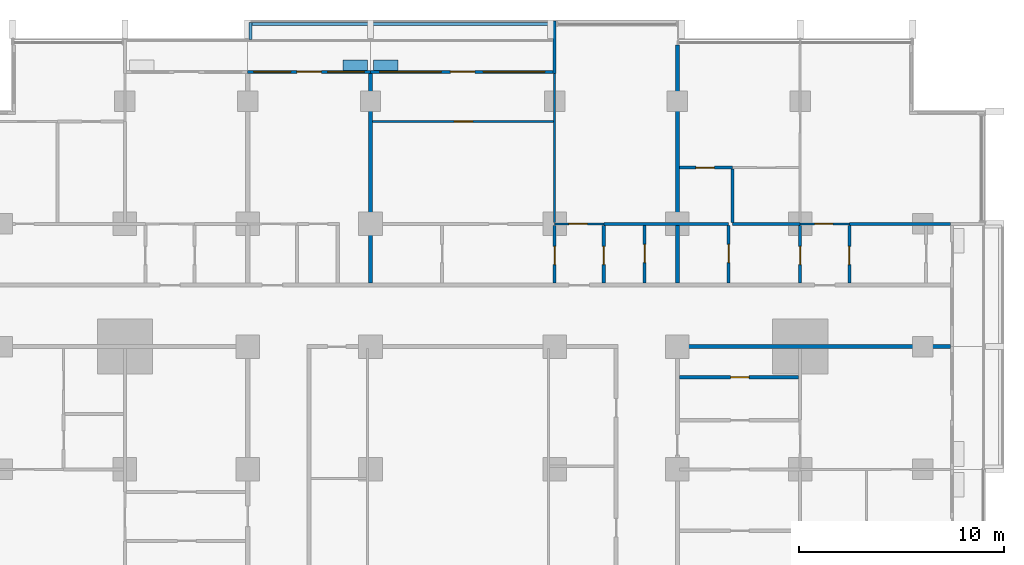
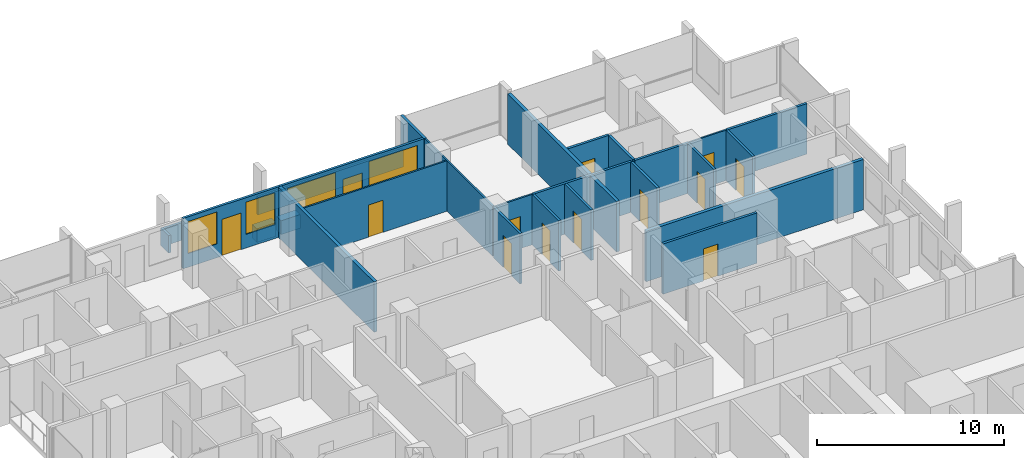
# One storey, part 12 of 18: 28 walls, 13 doors, 4 windows, 17 openings.
"""IFC4 building model written with IfcOpenShell, lengths in metres."""

from ifc_helpers import new_model, si_unit, direction, frame, frame_2d, origin, place, context, subcontext, project, spatial, rectangle, extrude, material, layer, layer_set, type_object, element, fill, save


model = new_model("IFC4")

# Units and contexts
model_context = context("Model", 3, precision=1e-05, world=origin(), true_north=direction((0.0, 1.0)))
body_context = subcontext(model_context, "Body", "Model", "MODEL_VIEW")
ifc_project = project(units=[si_unit("LENGTHUNIT", "METRE"), si_unit("AREAUNIT", "SQUARE_METRE"), si_unit("VOLUMEUNIT", "CUBIC_METRE"), si_unit("PLANEANGLEUNIT", "RADIAN"), si_unit("MASSUNIT", "GRAM", prefix="KILO")], contexts=[model_context])

# Site, building, storey
site_placement = place(None, origin())
site = spatial("IfcSite", under=ifc_project, at=site_placement, CompositionType="ELEMENT")
building_placement = place(site_placement, origin())
building = spatial("IfcBuilding", under=site, at=building_placement, Name="Finial Court Residences", CompositionType="ELEMENT")
storey_placement = place(building_placement, frame((0.0, 0.0, 109.89990234375)))
storey = spatial("IfcBuildingStorey", under=building, at=storey_placement, Name="L27", CompositionType="ELEMENT", Elevation=109.89990234375)

# Walls
ifc_material_1 = material(Name="Gypsum board")
ifc_layer_1 = layer(ifc_material_1, 0.02490234375)
ifc_material_2 = material(Name="Acoustic mineral wool in double frame")
ifc_layer_2 = layer(ifc_material_2, 0.14990234375)
ifc_layer_3 = layer(ifc_material_1, 0.02490234375)
ifc_layer_set_1 = layer_set([ifc_layer_1, ifc_layer_2, ifc_layer_3], Name="Acoustic party wall 200, 1 hour")
wall_type_1 = type_object("IfcWallType", Name="Acoustic party wall 200, 1 hour", PredefinedType="PARTITIONING", material=ifc_layer_set_1)
wall_1_placement = place(storey_placement, frame((-4.5, 10.60009765625, 0.0), z_axis=(0.0, 0.0, 1.0), x_axis=(0.0, 1.0, 0.0)))
element("IfcWall", 1, at=wall_1_placement, inside=storey, type_object=wall_type_1, Name="Partition L27-067", PredefinedType="PARTITIONING", context=body_context, shape_type="SweptSolid", body=[
    extrude(rectangle(XDim=10.25, YDim=0.199951171875, at=frame_2d((5.125, 0.0))), origin(), (0.0, 0.0, 1.0), 3.300048828125),
])
wall_2_placement = place(storey_placement, frame((10.5, 10.60009765625, 0.0), z_axis=(0.0, 0.0, 1.0), x_axis=(0.0, 1.0, 0.0)))
element("IfcWall", 2, at=wall_2_placement, inside=storey, type_object=wall_type_1, Name="Partition L27-076", PredefinedType="PARTITIONING", context=body_context, shape_type="SweptSolid", body=[
    extrude(rectangle(XDim=2.824951171875, YDim=0.199951171875, at=frame_2d((1.41259765625, 0.0))), origin(), (0.0, 0.0, 1.0), 3.300048828125),
])
wall_3_placement = place(storey_placement, frame((10.5, 13.574951171875, 0.0), z_axis=(0.0, 0.0, 1.0), x_axis=(0.0, 1.0, 0.0)))
element("IfcWall", 3, at=wall_3_placement, inside=storey, type_object=wall_type_1, Name="Partition L27-077", PredefinedType="PARTITIONING", context=body_context, shape_type="SweptSolid", body=[
    extrude(rectangle(XDim=8.675048828125, YDim=0.199951171875, at=frame_2d((4.33740234375, 0.0))), origin(), (0.0, 0.0, 1.0), 3.300048828125),
])
ifc_layer_4 = layer(ifc_material_1, 0.02490234375)
ifc_layer_5 = layer(ifc_material_2, 0.14990234375)
ifc_layer_6 = layer(ifc_material_1, 0.02490234375)
ifc_layer_set_2 = layer_set([ifc_layer_4, ifc_layer_5, ifc_layer_6], Name="Corridor wall 200, 1 hour")
wall_type_2 = type_object("IfcWallType", Name="Corridor wall 200, 1 hour", PredefinedType="PARTITIONING", material=ifc_layer_set_2)
wall_4_placement = place(storey_placement, frame((10.39990234375, 7.5, 0.0), z_axis=(0.0, 0.0, 1.0), x_axis=(1.0, 0.0, 0.0)))
element("IfcWall", 4, at=wall_4_placement, inside=storey, type_object=wall_type_2, Name="Partition L27-026", PredefinedType="PARTITIONING", context=body_context, shape_type="SweptSolid", body=[
    extrude(rectangle(XDim=13.4501953125, YDim=0.199951171875, at=frame_2d((6.72509765625, 0.0))), origin(), (0.0, 0.0, 1.0), 3.300048828125),
])

# Wall, opening, door
ifc_layer_7 = layer(ifc_material_1, 0.012451171875)
ifc_material_3 = material(Name="Mineral wool in light-gauge frame")
ifc_layer_8 = layer(ifc_material_3, 0.074951171875)
ifc_layer_9 = layer(ifc_material_1, 0.012451171875)
ifc_layer_set_3 = layer_set([ifc_layer_7, ifc_layer_8, ifc_layer_9], Name="Gypsum board partition 100")
wall_type_3 = type_object("IfcWallType", Name="Gypsum board partition 100", PredefinedType="PARTITIONING", material=ifc_layer_set_3)
wall_5_placement = place(storey_placement, frame((4.5, 13.5, 0.0), z_axis=(0.0, 0.0, 1.0), x_axis=(1.0, 0.0, 0.0)))
wall_5 = element("IfcWall", 5, at=wall_5_placement, inside=storey, type_object=wall_type_3, Name="Partition L27-030", PredefinedType="PARTITIONING", context=body_context, shape_type="SweptSolid", body=[
    extrude(rectangle(XDim=2.39990234375, YDim=0.10009765625, at=frame_2d((1.199951171875, 0.0))), origin(), (0.0, 0.0, 1.0), 3.300048828125),
])
opening_1_placement = place(wall_5_placement, frame((0.699951171875, 0.0, 0.0)))
opening_1 = element("IfcOpeningElement", 6, at=opening_1_placement, cuts=wall_5, Name="Opening L27-D024", PredefinedType="OPENING", context=body_context, shape_type="SweptSolid", body=[
    extrude(rectangle(XDim=0.89990234375, YDim=2.10009765625, at=frame_2d((0.449951171875, 1.050048828125))), frame((0.0, 0.06005859375, 0.0), z_axis=(0.0, -1.0, 0.0), x_axis=(1.0, 0.0, 0.0)), (0.0, 0.0, 1.0), 0.1201171875),
])
ifc_material_4 = material(Name="Timber door leaf in timber frame", Category="wood")
door_type_1 = type_object("IfcDoorType", Name="Door set 900 x 2100", OperationType="SINGLE_SWING_LEFT", PredefinedType="DOOR", material=ifc_material_4)
door_1_placement = place(opening_1_placement, origin())
door_1 = element("IfcDoor", 7, at=door_1_placement, inside=storey, type_object=door_type_1, Name="Door L27-D024", OperationType="SINGLE_SWING_RIGHT", OverallHeight=2.10009765625, OverallWidth=0.89990234375, PredefinedType="DOOR", context=body_context, shape_type="SweptSolid", body=[
    extrude(rectangle(XDim=0.89990234375, YDim=2.10009765625, at=frame_2d((0.449951171875, 1.050048828125))), frame((0.0, 0.02490234375, 0.0), z_axis=(0.0, -1.0, 0.0), x_axis=(1.0, 0.0, 0.0)), (0.0, 0.0, 1.0), 0.050048828125),
])
fill(opening_1, door_1)

wall_6_placement = place(storey_placement, frame((16.5, 13.5, 0.0), z_axis=(0.0, 0.0, 1.0), x_axis=(1.0, 0.0, 0.0)))
wall_6 = element("IfcWall", 8, at=wall_6_placement, inside=storey, type_object=wall_type_3, Name="Partition L27-031", PredefinedType="PARTITIONING", context=body_context, shape_type="SweptSolid", body=[
    extrude(rectangle(XDim=2.39990234375, YDim=0.10009765625, at=frame_2d((1.199951171875, 0.0))), origin(), (0.0, 0.0, 1.0), 3.300048828125),
])
opening_2_placement = place(wall_6_placement, frame((0.699951171875, 0.0, 0.0)))
opening_2 = element("IfcOpeningElement", 9, at=opening_2_placement, cuts=wall_6, Name="Opening L27-D025", PredefinedType="OPENING", context=body_context, shape_type="SweptSolid", body=[
    extrude(rectangle(XDim=0.89990234375, YDim=2.10009765625, at=frame_2d((0.449951171875, 1.050048828125))), frame((0.0, 0.06005859375, 0.0), z_axis=(0.0, -1.0, 0.0), x_axis=(1.0, 0.0, 0.0)), (0.0, 0.0, 1.0), 0.1201171875),
])
door_2_placement = place(opening_2_placement, origin())
door_2 = element("IfcDoor", 10, at=door_2_placement, inside=storey, type_object=door_type_1, Name="Door L27-D025", OperationType="SINGLE_SWING_LEFT", OverallHeight=2.10009765625, OverallWidth=0.89990234375, PredefinedType="DOOR", context=body_context, shape_type="SweptSolid", body=[
    extrude(rectangle(XDim=0.89990234375, YDim=2.10009765625, at=frame_2d((0.449951171875, 1.050048828125))), frame((0.0, 0.02490234375, 0.0), z_axis=(0.0, -1.0, 0.0), x_axis=(1.0, 0.0, 0.0)), (0.0, 0.0, 1.0), 0.050048828125),
])
fill(opening_2, door_2)

wall_7_placement = place(storey_placement, frame((-4.39990234375, 18.5, 0.0), z_axis=(0.0, 0.0, 1.0), x_axis=(1.0, 0.0, 0.0)))
wall_7 = element("IfcWall", 11, at=wall_7_placement, inside=storey, type_object=wall_type_3, Name="Partition L27-042", PredefinedType="PARTITIONING", context=body_context, shape_type="SweptSolid", body=[
    extrude(rectangle(XDim=8.849853515625, YDim=0.10009765625, at=frame_2d((4.4248046875, 0.0))), origin(), (0.0, 0.0, 1.0), 3.300048828125),
])
opening_3_placement = place(wall_7_placement, frame((4.0, 0.0, 0.0)))
opening_3 = element("IfcOpeningElement", 12, at=opening_3_placement, cuts=wall_7, Name="Opening L27-D032", PredefinedType="OPENING", context=body_context, shape_type="SweptSolid", body=[
    extrude(rectangle(XDim=0.89990234375, YDim=2.10009765625, at=frame_2d((0.449951171875, 1.050048828125))), frame((0.0, 0.06005859375, 0.0), z_axis=(0.0, -1.0, 0.0), x_axis=(1.0, 0.0, 0.0)), (0.0, 0.0, 1.0), 0.1201171875),
])
door_3_placement = place(opening_3_placement, origin())
door_3 = element("IfcDoor", 13, at=door_3_placement, inside=storey, type_object=door_type_1, Name="Door L27-D032", OperationType="SINGLE_SWING_LEFT", OverallHeight=2.10009765625, OverallWidth=0.89990234375, PredefinedType="DOOR", context=body_context, shape_type="SweptSolid", body=[
    extrude(rectangle(XDim=0.89990234375, YDim=2.10009765625, at=frame_2d((0.449951171875, 1.050048828125))), frame((0.0, 0.02490234375, 0.0), z_axis=(0.0, -1.0, 0.0), x_axis=(1.0, 0.0, 0.0)), (0.0, 0.0, 1.0), 0.050048828125),
])
fill(opening_3, door_3)

# Wall
wall_8_placement = place(storey_placement, frame((4.5, 13.574951171875, 0.0), z_axis=(0.0, 0.0, 1.0), x_axis=(0.0, 1.0, 0.0)))
element("IfcWall", 14, at=wall_8_placement, inside=storey, type_object=wall_type_3, Name="Partition L27-070", PredefinedType="PARTITIONING", context=body_context, shape_type="SweptSolid", body=[
    extrude(rectangle(XDim=7.275146484375, YDim=0.10009765625, at=frame_2d((3.6376953125, 0.0))), origin(), (0.0, 0.0, 1.0), 3.300048828125),
])

# Wall, opening, door
ifc_material_5 = material(Name="Moisture-resistant gypsum board")
ifc_layer_10 = layer(ifc_material_5, 0.012451171875)
ifc_layer_11 = layer(ifc_material_3, 0.125)
ifc_layer_12 = layer(ifc_material_5, 0.012451171875)
ifc_layer_set_4 = layer_set([ifc_layer_10, ifc_layer_11, ifc_layer_12], Name="Gypsum board wet-area partition 150")
wall_type_4 = type_object("IfcWallType", Name="Gypsum board wet-area partition 150", PredefinedType="PARTITIONING", material=ifc_layer_set_4)
wall_9_placement = place(storey_placement, frame((10.60009765625, 6.0, 0.0), z_axis=(0.0, 0.0, 1.0), x_axis=(1.0, 0.0, 0.0)))
wall_9 = element("IfcWall", 15, at=wall_9_placement, inside=storey, type_object=wall_type_4, Name="Partition L27-023", PredefinedType="PARTITIONING", context=body_context, shape_type="SweptSolid", body=[
    extrude(rectangle(XDim=5.824951171875, YDim=0.14990234375, at=frame_2d((2.91259765625, 0.0))), origin(), (0.0, 0.0, 1.0), 3.300048828125),
])
opening_4_placement = place(wall_9_placement, frame((2.5, 0.0, 0.0)))
opening_4 = element("IfcOpeningElement", 16, at=opening_4_placement, cuts=wall_9, Name="Opening L27-D016", PredefinedType="OPENING", context=body_context, shape_type="SweptSolid", body=[
    extrude(rectangle(XDim=0.89990234375, YDim=2.10009765625, at=frame_2d((0.449951171875, 1.050048828125))), frame((0.0, 0.0849609375, 0.0), z_axis=(0.0, -1.0, 0.0), x_axis=(1.0, 0.0, 0.0)), (0.0, 0.0, 1.0), 0.169921875),
])
door_4_placement = place(opening_4_placement, origin())
door_4 = element("IfcDoor", 17, at=door_4_placement, inside=storey, type_object=door_type_1, Name="Door L27-D016", OperationType="SINGLE_SWING_LEFT", OverallHeight=2.10009765625, OverallWidth=0.89990234375, PredefinedType="DOOR", context=body_context, shape_type="SweptSolid", body=[
    extrude(rectangle(XDim=0.89990234375, YDim=2.10009765625, at=frame_2d((0.449951171875, 1.050048828125))), frame((0.0, 0.02490234375, 0.0), z_axis=(0.0, -1.0, 0.0), x_axis=(1.0, 0.0, 0.0)), (0.0, 0.0, 1.0), 0.050048828125),
])
fill(opening_4, door_4)

# Walls
wall_10_placement = place(storey_placement, frame((6.89990234375, 13.5, 0.0), z_axis=(0.0, 0.0, 1.0), x_axis=(1.0, 0.0, 0.0)))
element("IfcWall", 18, at=wall_10_placement, inside=storey, type_object=wall_type_4, Name="Partition L27-036", PredefinedType="PARTITIONING", context=body_context, shape_type="SweptSolid", body=[
    extrude(rectangle(XDim=6.10009765625, YDim=0.14990234375, at=frame_2d((3.050048828125, 0.0))), origin(), (0.0, 0.0, 1.0), 3.300048828125),
])
wall_11_placement = place(storey_placement, frame((13.199951171875, 13.5, 0.0), z_axis=(0.0, 0.0, 1.0), x_axis=(1.0, 0.0, 0.0)))
element("IfcWall", 19, at=wall_11_placement, inside=storey, type_object=wall_type_4, Name="Partition L27-037", PredefinedType="PARTITIONING", context=body_context, shape_type="SweptSolid", body=[
    extrude(rectangle(XDim=3.300048828125, YDim=0.14990234375, at=frame_2d((1.64990234375, 0.0))), origin(), (0.0, 0.0, 1.0), 3.300048828125),
])
wall_12_placement = place(storey_placement, frame((18.89990234375, 13.5, 0.0), z_axis=(0.0, 0.0, 1.0), x_axis=(1.0, 0.0, 0.0)))
element("IfcWall", 20, at=wall_12_placement, inside=storey, type_object=wall_type_4, Name="Partition L27-038", PredefinedType="PARTITIONING", context=body_context, shape_type="SweptSolid", body=[
    extrude(rectangle(XDim=4.9501953125, YDim=0.14990234375, at=frame_2d((2.47509765625, 0.0))), origin(), (0.0, 0.0, 1.0), 3.300048828125),
])

# Wall, opening, door
wall_13_placement = place(storey_placement, frame((10.60009765625, 16.25, 0.0), z_axis=(0.0, 0.0, 1.0), x_axis=(1.0, 0.0, 0.0)))
wall_13 = element("IfcWall", 21, at=wall_13_placement, inside=storey, type_object=wall_type_4, Name="Partition L27-040", PredefinedType="PARTITIONING", context=body_context, shape_type="SweptSolid", body=[
    extrude(rectangle(XDim=2.599853515625, YDim=0.14990234375, at=frame_2d((1.2998046875, 0.0))), origin(), (0.0, 0.0, 1.0), 3.300048828125),
])
opening_5_placement = place(wall_13_placement, frame((0.800048828125, 0.0, 0.0)))
opening_5 = element("IfcOpeningElement", 22, at=opening_5_placement, cuts=wall_13, Name="Opening L27-D030", PredefinedType="OPENING", context=body_context, shape_type="SweptSolid", body=[
    extrude(rectangle(XDim=0.89990234375, YDim=2.10009765625, at=frame_2d((0.449951171875, 1.050048828125))), frame((0.0, 0.0849609375, 0.0), z_axis=(0.0, -1.0, 0.0), x_axis=(1.0, 0.0, 0.0)), (0.0, 0.0, 1.0), 0.169921875),
])
door_5_placement = place(opening_5_placement, origin())
door_5 = element("IfcDoor", 23, at=door_5_placement, inside=storey, type_object=door_type_1, Name="Door L27-D030", OperationType="SINGLE_SWING_LEFT", OverallHeight=2.10009765625, OverallWidth=0.89990234375, PredefinedType="DOOR", context=body_context, shape_type="SweptSolid", body=[
    extrude(rectangle(XDim=0.89990234375, YDim=2.10009765625, at=frame_2d((0.449951171875, 1.050048828125))), frame((0.0, 0.02490234375, 0.0), z_axis=(0.0, -1.0, 0.0), x_axis=(1.0, 0.0, 0.0)), (0.0, 0.0, 1.0), 0.050048828125),
])
fill(opening_5, door_5)

wall_14_placement = place(storey_placement, frame((4.5, 10.60009765625, 0.0), z_axis=(0.0, 0.0, 1.0), x_axis=(0.0, 1.0, 0.0)))
wall_14 = element("IfcWall", 24, at=wall_14_placement, inside=storey, type_object=wall_type_4, Name="Partition L27-071", PredefinedType="PARTITIONING", context=body_context, shape_type="SweptSolid", body=[
    extrude(rectangle(XDim=2.824951171875, YDim=0.14990234375, at=frame_2d((1.41259765625, 0.0))), origin(), (0.0, 0.0, 1.0), 3.300048828125),
])
opening_6_placement = place(wall_14_placement, frame((0.89990234375, 0.0, 0.0)))
opening_6 = element("IfcOpeningElement", 25, at=opening_6_placement, cuts=wall_14, Name="Opening L27-D045", PredefinedType="OPENING", context=body_context, shape_type="SweptSolid", body=[
    extrude(rectangle(XDim=0.89990234375, YDim=2.10009765625, at=frame_2d((0.449951171875, 1.050048828125))), frame((0.0, 0.0849609375, 0.0), z_axis=(0.0, -1.0, 0.0), x_axis=(1.0, 0.0, 0.0)), (0.0, 0.0, 1.0), 0.169921875),
])
door_6_placement = place(opening_6_placement, origin())
door_6 = element("IfcDoor", 26, at=door_6_placement, inside=storey, type_object=door_type_1, Name="Door L27-D045", OperationType="SINGLE_SWING_LEFT", OverallHeight=2.10009765625, OverallWidth=0.89990234375, PredefinedType="DOOR", context=body_context, shape_type="SweptSolid", body=[
    extrude(rectangle(XDim=0.89990234375, YDim=2.10009765625, at=frame_2d((0.449951171875, 1.050048828125))), frame((0.0, 0.02490234375, 0.0), z_axis=(0.0, -1.0, 0.0), x_axis=(1.0, 0.0, 0.0)), (0.0, 0.0, 1.0), 0.050048828125),
])
fill(opening_6, door_6)

wall_15_placement = place(storey_placement, frame((6.89990234375, 10.60009765625, 0.0), z_axis=(0.0, 0.0, 1.0), x_axis=(0.0, 1.0, 0.0)))
wall_15 = element("IfcWall", 27, at=wall_15_placement, inside=storey, type_object=wall_type_4, Name="Partition L27-072", PredefinedType="PARTITIONING", context=body_context, shape_type="SweptSolid", body=[
    extrude(rectangle(XDim=2.824951171875, YDim=0.14990234375, at=frame_2d((1.41259765625, 0.0))), origin(), (0.0, 0.0, 1.0), 3.300048828125),
])
opening_7_placement = place(wall_15_placement, frame((0.89990234375, 0.0, 0.0)))
opening_7 = element("IfcOpeningElement", 28, at=opening_7_placement, cuts=wall_15, Name="Opening L27-D046", PredefinedType="OPENING", context=body_context, shape_type="SweptSolid", body=[
    extrude(rectangle(XDim=0.89990234375, YDim=2.10009765625, at=frame_2d((0.449951171875, 1.050048828125))), frame((0.0, 0.0849609375, 0.0), z_axis=(0.0, -1.0, 0.0), x_axis=(1.0, 0.0, 0.0)), (0.0, 0.0, 1.0), 0.169921875),
])
door_7_placement = place(opening_7_placement, origin())
door_7 = element("IfcDoor", 29, at=door_7_placement, inside=storey, type_object=door_type_1, Name="Door L27-D046", OperationType="SINGLE_SWING_RIGHT", OverallHeight=2.10009765625, OverallWidth=0.89990234375, PredefinedType="DOOR", context=body_context, shape_type="SweptSolid", body=[
    extrude(rectangle(XDim=0.89990234375, YDim=2.10009765625, at=frame_2d((0.449951171875, 1.050048828125))), frame((0.0, 0.02490234375, 0.0), z_axis=(0.0, -1.0, 0.0), x_axis=(1.0, 0.0, 0.0)), (0.0, 0.0, 1.0), 0.050048828125),
])
fill(opening_7, door_7)

wall_16_placement = place(storey_placement, frame((8.89990234375, 10.60009765625, 0.0), z_axis=(0.0, 0.0, 1.0), x_axis=(0.0, 1.0, 0.0)))
wall_16 = element("IfcWall", 30, at=wall_16_placement, inside=storey, type_object=wall_type_4, Name="Partition L27-074", PredefinedType="PARTITIONING", context=body_context, shape_type="SweptSolid", body=[
    extrude(rectangle(XDim=2.824951171875, YDim=0.14990234375, at=frame_2d((1.41259765625, 0.0))), origin(), (0.0, 0.0, 1.0), 3.300048828125),
])
opening_8_placement = place(wall_16_placement, frame((1.0, 0.0, 0.0)))
opening_8 = element("IfcOpeningElement", 31, at=opening_8_placement, cuts=wall_16, Name="Opening L27-D049", PredefinedType="OPENING", context=body_context, shape_type="SweptSolid", body=[
    extrude(rectangle(XDim=0.89990234375, YDim=2.10009765625, at=frame_2d((0.449951171875, 1.050048828125))), frame((0.0, 0.0849609375, 0.0), z_axis=(0.0, -1.0, 0.0), x_axis=(1.0, 0.0, 0.0)), (0.0, 0.0, 1.0), 0.169921875),
])
door_8_placement = place(opening_8_placement, origin())
door_8 = element("IfcDoor", 32, at=door_8_placement, inside=storey, type_object=door_type_1, Name="Door L27-D049", OperationType="SINGLE_SWING_LEFT", OverallHeight=2.10009765625, OverallWidth=0.89990234375, PredefinedType="DOOR", context=body_context, shape_type="SweptSolid", body=[
    extrude(rectangle(XDim=0.89990234375, YDim=2.10009765625, at=frame_2d((0.449951171875, 1.050048828125))), frame((0.0, 0.02490234375, 0.0), z_axis=(0.0, -1.0, 0.0), x_axis=(1.0, 0.0, 0.0)), (0.0, 0.0, 1.0), 0.050048828125),
])
fill(opening_8, door_8)

wall_17_placement = place(storey_placement, frame((13.0, 10.60009765625, 0.0), z_axis=(0.0, 0.0, 1.0), x_axis=(0.0, 1.0, 0.0)))
wall_17 = element("IfcWall", 33, at=wall_17_placement, inside=storey, type_object=wall_type_4, Name="Partition L27-078", PredefinedType="PARTITIONING", context=body_context, shape_type="SweptSolid", body=[
    extrude(rectangle(XDim=2.824951171875, YDim=0.14990234375, at=frame_2d((1.41259765625, 0.0))), origin(), (0.0, 0.0, 1.0), 3.300048828125),
])
opening_9_placement = place(wall_17_placement, frame((1.0, 0.0, 0.0)))
opening_9 = element("IfcOpeningElement", 34, at=opening_9_placement, cuts=wall_17, Name="Opening L27-D051", PredefinedType="OPENING", context=body_context, shape_type="SweptSolid", body=[
    extrude(rectangle(XDim=0.89990234375, YDim=2.10009765625, at=frame_2d((0.449951171875, 1.050048828125))), frame((0.0, 0.0849609375, 0.0), z_axis=(0.0, -1.0, 0.0), x_axis=(1.0, 0.0, 0.0)), (0.0, 0.0, 1.0), 0.169921875),
])
door_9_placement = place(opening_9_placement, origin())
door_9 = element("IfcDoor", 35, at=door_9_placement, inside=storey, type_object=door_type_1, Name="Door L27-D051", OperationType="SINGLE_SWING_RIGHT", OverallHeight=2.10009765625, OverallWidth=0.89990234375, PredefinedType="DOOR", context=body_context, shape_type="SweptSolid", body=[
    extrude(rectangle(XDim=0.89990234375, YDim=2.10009765625, at=frame_2d((0.449951171875, 1.050048828125))), frame((0.0, 0.02490234375, 0.0), z_axis=(0.0, -1.0, 0.0), x_axis=(1.0, 0.0, 0.0)), (0.0, 0.0, 1.0), 0.050048828125),
])
fill(opening_9, door_9)

# Wall
wall_18_placement = place(storey_placement, frame((13.199951171875, 13.574951171875, 0.0), z_axis=(0.0, 0.0, 1.0), x_axis=(0.0, 1.0, 0.0)))
element("IfcWall", 36, at=wall_18_placement, inside=storey, type_object=wall_type_4, Name="Partition L27-079", PredefinedType="PARTITIONING", context=body_context, shape_type="SweptSolid", body=[
    extrude(rectangle(XDim=2.60009765625, YDim=0.14990234375, at=frame_2d((1.300048828125, 0.0))), origin(), (0.0, 0.0, 1.0), 3.300048828125),
])

# Wall, opening, door
wall_19_placement = place(storey_placement, frame((16.5, 10.60009765625, 0.0), z_axis=(0.0, 0.0, 1.0), x_axis=(0.0, 1.0, 0.0)))
wall_19 = element("IfcWall", 37, at=wall_19_placement, inside=storey, type_object=wall_type_4, Name="Partition L27-087", PredefinedType="PARTITIONING", context=body_context, shape_type="SweptSolid", body=[
    extrude(rectangle(XDim=2.824951171875, YDim=0.14990234375, at=frame_2d((1.41259765625, 0.0))), origin(), (0.0, 0.0, 1.0), 3.300048828125),
])
opening_10_placement = place(wall_19_placement, frame((0.89990234375, 0.0, 0.0)))
opening_10 = element("IfcOpeningElement", 38, at=opening_10_placement, cuts=wall_19, Name="Opening L27-D055", PredefinedType="OPENING", context=body_context, shape_type="SweptSolid", body=[
    extrude(rectangle(XDim=0.89990234375, YDim=2.10009765625, at=frame_2d((0.449951171875, 1.050048828125))), frame((0.0, 0.0849609375, 0.0), z_axis=(0.0, -1.0, 0.0), x_axis=(1.0, 0.0, 0.0)), (0.0, 0.0, 1.0), 0.169921875),
])
door_10_placement = place(opening_10_placement, origin())
door_10 = element("IfcDoor", 39, at=door_10_placement, inside=storey, type_object=door_type_1, Name="Door L27-D055", OperationType="SINGLE_SWING_RIGHT", OverallHeight=2.10009765625, OverallWidth=0.89990234375, PredefinedType="DOOR", context=body_context, shape_type="SweptSolid", body=[
    extrude(rectangle(XDim=0.89990234375, YDim=2.10009765625, at=frame_2d((0.449951171875, 1.050048828125))), frame((0.0, 0.02490234375, 0.0), z_axis=(0.0, -1.0, 0.0), x_axis=(1.0, 0.0, 0.0)), (0.0, 0.0, 1.0), 0.050048828125),
])
fill(opening_10, door_10)

wall_20_placement = place(storey_placement, frame((18.89990234375, 10.60009765625, 0.0), z_axis=(0.0, 0.0, 1.0), x_axis=(0.0, 1.0, 0.0)))
wall_20 = element("IfcWall", 40, at=wall_20_placement, inside=storey, type_object=wall_type_4, Name="Partition L27-088", PredefinedType="PARTITIONING", context=body_context, shape_type="SweptSolid", body=[
    extrude(rectangle(XDim=2.824951171875, YDim=0.14990234375, at=frame_2d((1.41259765625, 0.0))), origin(), (0.0, 0.0, 1.0), 3.300048828125),
])
opening_11_placement = place(wall_20_placement, frame((0.89990234375, 0.0, 0.0)))
opening_11 = element("IfcOpeningElement", 41, at=opening_11_placement, cuts=wall_20, Name="Opening L27-D056", PredefinedType="OPENING", context=body_context, shape_type="SweptSolid", body=[
    extrude(rectangle(XDim=0.89990234375, YDim=2.10009765625, at=frame_2d((0.449951171875, 1.050048828125))), frame((0.0, 0.0849609375, 0.0), z_axis=(0.0, -1.0, 0.0), x_axis=(1.0, 0.0, 0.0)), (0.0, 0.0, 1.0), 0.169921875),
])
door_11_placement = place(opening_11_placement, origin())
door_11 = element("IfcDoor", 42, at=door_11_placement, inside=storey, type_object=door_type_1, Name="Door L27-D056", OperationType="SINGLE_SWING_LEFT", OverallHeight=2.10009765625, OverallWidth=0.89990234375, PredefinedType="DOOR", context=body_context, shape_type="SweptSolid", body=[
    extrude(rectangle(XDim=0.89990234375, YDim=2.10009765625, at=frame_2d((0.449951171875, 1.050048828125))), frame((0.0, 0.02490234375, 0.0), z_axis=(0.0, -1.0, 0.0), x_axis=(1.0, 0.0, 0.0)), (0.0, 0.0, 1.0), 0.050048828125),
])
fill(opening_11, door_11)

# Walls
ifc_material_6 = material(Name="Concrete C35/45", Category="concrete")
ifc_layer_13 = layer(ifc_material_6, 0.14990234375)
ifc_layer_set_5 = layer_set([ifc_layer_13], Name="Ledge parapet, Concrete C35/45 150")
wall_type_5 = type_object("IfcWallType", Name="Ledge parapet, Concrete C35/45 150", PredefinedType="PARAPET", material=ifc_layer_set_5)
wall_21_placement = place(storey_placement, frame((-4.5, 23.27490234375, 0.0), z_axis=(0.0, 0.0, 1.0), x_axis=(1.0, 0.0, 0.0)))
element("IfcWall", 43, at=wall_21_placement, inside=storey, type_object=wall_type_5, Name="E-L27-LED1-P1", PredefinedType="PARAPET", context=body_context, shape_type="SweptSolid", body=[
    extrude(rectangle(XDim=8.989990234375, YDim=0.14990234375, at=frame_2d((4.4951171875, 0.0))), origin(), (0.0, 0.0, 1.0), 1.150146484375),
])
wall_22_placement = place(storey_placement, frame((-10.375, 22.510009765625, 0.0), z_axis=(0.0, 0.0, 1.0), x_axis=(0.0, 1.0, 0.0)))
element("IfcWall", 44, at=wall_22_placement, inside=storey, type_object=wall_type_5, Name="E-L27-LED1-P2", PredefinedType="PARAPET", context=body_context, shape_type="SweptSolid", body=[
    extrude(rectangle(XDim=0.840087890625, YDim=0.14990234375, at=frame_2d((0.419921875, 0.0))), origin(), (0.0, 0.0, 1.0), 1.150146484375),
])
wall_23_placement = place(storey_placement, frame((-10.300048828125, 23.27490234375, 0.0), z_axis=(0.0, 0.0, 1.0), x_axis=(1.0, 0.0, 0.0)))
element("IfcWall", 45, at=wall_23_placement, inside=storey, type_object=wall_type_5, Name="E-L27-LED1-P3", PredefinedType="PARAPET", context=body_context, shape_type="SweptSolid", body=[
    extrude(rectangle(XDim=5.800048828125, YDim=0.14990234375, at=frame_2d((2.89990234375, 0.0))), origin(), (0.0, 0.0, 1.0), 1.150146484375),
])

# Wall, openings, door, windows
ifc_material_7 = material(Name="Natural limestone", Category="masonry")
ifc_layer_14 = layer(ifc_material_7, 0.14990234375)
ifc_layer_set_6 = layer_set([ifc_layer_14], Name="Limestone clad wall 150")
wall_type_6 = type_object("IfcWallType", Name="Limestone clad wall 150", PredefinedType="SOLIDWALL", material=ifc_layer_set_6)
wall_24_placement = place(storey_placement, frame((-10.5, 20.925048828125, 0.0), z_axis=(0.0, 0.0, 1.0), x_axis=(1.0, 0.0, 0.0)))
wall_24 = element("IfcWall", 46, at=wall_24_placement, inside=storey, type_object=wall_type_6, Name="E-L27-L27-BALN3-W", PredefinedType="SOLIDWALL", context=body_context, shape_type="SweptSolid", body=[
    extrude(rectangle(XDim=6.0, YDim=0.14990234375, at=frame_2d((3.0, 0.0))), origin(), (0.0, 0.0, 1.0), 3.300048828125),
])
opening_12_placement = place(wall_24_placement, frame((2.39990234375, 0.0, 0.0)))
opening_12 = element("IfcOpeningElement", 47, at=opening_12_placement, cuts=wall_24, Name="Opening DE27-02", PredefinedType="OPENING", context=body_context, shape_type="SweptSolid", body=[
    extrude(rectangle(XDim=1.199951171875, YDim=2.39990234375, at=frame_2d((0.60009765625, 1.199951171875))), frame((0.0, 0.0849609375, 0.0), z_axis=(0.0, -1.0, 0.0), x_axis=(1.0, 0.0, 0.0)), (0.0, 0.0, 1.0), 0.169921875),
])
opening_13_placement = place(wall_24_placement, frame((0.300048828125, 0.0, 0.89990234375)))
opening_13 = element("IfcOpeningElement", 48, at=opening_13_placement, cuts=wall_24, Name="Opening WE27-11", PredefinedType="OPENING", context=body_context, shape_type="SweptSolid", body=[
    extrude(rectangle(XDim=1.800048828125, YDim=2.10009765625, at=frame_2d((0.89990234375, 1.050048828125))), frame((0.0, 0.0849609375, 0.0), z_axis=(0.0, -1.0, 0.0), x_axis=(1.0, 0.0, 0.0)), (0.0, 0.0, 1.0), 0.169921875),
])
opening_14_placement = place(wall_24_placement, frame((3.89990234375, 0.0, 0.89990234375)))
opening_14 = element("IfcOpeningElement", 49, at=opening_14_placement, cuts=wall_24, Name="Opening WE27-12", PredefinedType="OPENING", context=body_context, shape_type="SweptSolid", body=[
    extrude(rectangle(XDim=1.800048828125, YDim=2.10009765625, at=frame_2d((0.89990234375, 1.050048828125))), frame((0.0, 0.0849609375, 0.0), z_axis=(0.0, -1.0, 0.0), x_axis=(1.0, 0.0, 0.0)), (0.0, 0.0, 1.0), 0.169921875),
])
ifc_material_8 = material(Name="Bronze anodised aluminium", Category="aluminium")
door_type_2 = type_object("IfcDoorType", Name="Balcony door 1200 x 2400", OperationType="SINGLE_SWING_LEFT", PredefinedType="DOOR", material=ifc_material_8)
door_12_placement = place(opening_12_placement, origin())
door_12 = element("IfcDoor", 50, at=door_12_placement, inside=storey, type_object=door_type_2, Name="E-L27-L27-BALN3-W-D", OperationType="SINGLE_SWING_RIGHT", OverallHeight=2.39990234375, OverallWidth=1.199951171875, PredefinedType="DOOR", context=body_context, shape_type="SweptSolid", body=[
    extrude(rectangle(XDim=1.199951171875, YDim=2.39990234375, at=frame_2d((0.60009765625, 1.199951171875))), frame((0.0, 0.02490234375, 0.0), z_axis=(0.0, -1.0, 0.0), x_axis=(1.0, 0.0, 0.0)), (0.0, 0.0, 1.0), 0.050048828125),
])
fill(opening_12, door_12)
ifc_material_9 = material(Name="Clear low-e glass", Category="glass")
window_type_1 = type_object("IfcWindowType", Name="Balcony window 1800 x 2100", PartitioningType="SINGLE_PANEL", PredefinedType="WINDOW", material=ifc_material_9)
window_1_placement = place(opening_13_placement, origin())
window_1 = element("IfcWindow", 51, at=window_1_placement, inside=storey, type_object=window_type_1, Name="E-L27-L27-BALN3-W-W1", OverallHeight=2.10009765625, OverallWidth=1.800048828125, PartitioningType="SINGLE_PANEL", PredefinedType="WINDOW", context=body_context, shape_type="SweptSolid", body=[
    extrude(rectangle(XDim=1.800048828125, YDim=2.10009765625, at=frame_2d((0.89990234375, 1.050048828125))), frame((0.0, 0.030029296875, 0.0), z_axis=(0.0, -1.0, 0.0), x_axis=(1.0, 0.0, 0.0)), (0.0, 0.0, 1.0), 0.06005859375),
])
fill(opening_13, window_1)
window_2_placement = place(opening_14_placement, origin())
window_2 = element("IfcWindow", 52, at=window_2_placement, inside=storey, type_object=window_type_1, Name="E-L27-L27-BALN3-W-W2", OverallHeight=2.10009765625, OverallWidth=1.800048828125, PartitioningType="SINGLE_PANEL", PredefinedType="WINDOW", context=body_context, shape_type="SweptSolid", body=[
    extrude(rectangle(XDim=1.800048828125, YDim=2.10009765625, at=frame_2d((0.89990234375, 1.050048828125))), frame((0.0, 0.030029296875, 0.0), z_axis=(0.0, -1.0, 0.0), x_axis=(1.0, 0.0, 0.0)), (0.0, 0.0, 1.0), 0.06005859375),
])
fill(opening_14, window_2)

# Wall
wall_25_placement = place(storey_placement, frame((4.5, 20.85009765625, 0.0), z_axis=(0.0, 0.0, 1.0), x_axis=(0.0, 1.0, 0.0)))
element("IfcWall", 53, at=wall_25_placement, inside=storey, type_object=wall_type_6, Name="E-L27-BALN4-P2", PredefinedType="SOLIDWALL", context=body_context, shape_type="SweptSolid", body=[
    extrude(rectangle(XDim=2.5498046875, YDim=0.14990234375, at=frame_2d((1.27490234375, 0.0))), origin(), (0.0, 0.0, 1.0), 3.300048828125),
])

# Wall, openings, door, windows
wall_26_placement = place(storey_placement, frame((-4.5, 20.925048828125, 0.0), z_axis=(0.0, 0.0, 1.0), x_axis=(1.0, 0.0, 0.0)))
wall_26 = element("IfcWall", 54, at=wall_26_placement, inside=storey, type_object=wall_type_6, Name="E-L27-L27-BALN4-W", PredefinedType="SOLIDWALL", context=body_context, shape_type="SweptSolid", body=[
    extrude(rectangle(XDim=8.925048828125, YDim=0.14990234375, at=frame_2d((4.46240234375, 0.0))), origin(), (0.0, 0.0, 1.0), 3.300048828125),
])
opening_15_placement = place(wall_26_placement, frame((3.89990234375, 0.0, 0.0)))
opening_15 = element("IfcOpeningElement", 55, at=opening_15_placement, cuts=wall_26, Name="Opening DE27-03", PredefinedType="OPENING", context=body_context, shape_type="SweptSolid", body=[
    extrude(rectangle(XDim=1.199951171875, YDim=2.39990234375, at=frame_2d((0.60009765625, 1.199951171875))), frame((0.0, 0.0849609375, 0.0), z_axis=(0.0, -1.0, 0.0), x_axis=(1.0, 0.0, 0.0)), (0.0, 0.0, 1.0), 0.169921875),
])
opening_16_placement = place(wall_26_placement, frame((0.449951171875, 0.0, 0.89990234375)))
opening_16 = element("IfcOpeningElement", 56, at=opening_16_placement, cuts=wall_26, Name="Opening WE27-13", PredefinedType="OPENING", context=body_context, shape_type="SweptSolid", body=[
    extrude(rectangle(XDim=3.0, YDim=2.10009765625, at=frame_2d((1.5, 1.050048828125))), frame((0.0, 0.0849609375, 0.0), z_axis=(0.0, -1.0, 0.0), x_axis=(1.0, 0.0, 0.0)), (0.0, 0.0, 1.0), 0.169921875),
])
opening_17_placement = place(wall_26_placement, frame((5.512451171875, 0.0, 0.89990234375)))
opening_17 = element("IfcOpeningElement", 57, at=opening_17_placement, cuts=wall_26, Name="Opening WE27-14", PredefinedType="OPENING", context=body_context, shape_type="SweptSolid", body=[
    extrude(rectangle(XDim=3.0, YDim=2.10009765625, at=frame_2d((1.5, 1.050048828125))), frame((0.0, 0.0849609375, 0.0), z_axis=(0.0, -1.0, 0.0), x_axis=(1.0, 0.0, 0.0)), (0.0, 0.0, 1.0), 0.169921875),
])
door_13_placement = place(opening_15_placement, origin())
door_13 = element("IfcDoor", 58, at=door_13_placement, inside=storey, type_object=door_type_2, Name="E-L27-L27-BALN4-W-D", OperationType="SINGLE_SWING_LEFT", OverallHeight=2.39990234375, OverallWidth=1.199951171875, PredefinedType="DOOR", context=body_context, shape_type="SweptSolid", body=[
    extrude(rectangle(XDim=1.199951171875, YDim=2.39990234375, at=frame_2d((0.60009765625, 1.199951171875))), frame((0.0, 0.02490234375, 0.0), z_axis=(0.0, -1.0, 0.0), x_axis=(1.0, 0.0, 0.0)), (0.0, 0.0, 1.0), 0.050048828125),
])
fill(opening_15, door_13)
window_type_2 = type_object("IfcWindowType", Name="Balcony window 3000 x 2100", PartitioningType="SINGLE_PANEL", PredefinedType="WINDOW", material=ifc_material_9)
window_3_placement = place(opening_16_placement, origin())
window_3 = element("IfcWindow", 59, at=window_3_placement, inside=storey, type_object=window_type_2, Name="E-L27-L27-BALN4-W-W1", OverallHeight=2.10009765625, OverallWidth=3.0, PartitioningType="SINGLE_PANEL", PredefinedType="WINDOW", context=body_context, shape_type="SweptSolid", body=[
    extrude(rectangle(XDim=3.0, YDim=2.10009765625, at=frame_2d((1.5, 1.050048828125))), frame((0.0, 0.030029296875, 0.0), z_axis=(0.0, -1.0, 0.0), x_axis=(1.0, 0.0, 0.0)), (0.0, 0.0, 1.0), 0.06005859375),
])
fill(opening_16, window_3)
window_4_placement = place(opening_17_placement, origin())
window_4 = element("IfcWindow", 60, at=window_4_placement, inside=storey, type_object=window_type_2, Name="E-L27-L27-BALN4-W-W2", OverallHeight=2.10009765625, OverallWidth=3.0, PartitioningType="SINGLE_PANEL", PredefinedType="WINDOW", context=body_context, shape_type="SweptSolid", body=[
    extrude(rectangle(XDim=3.0, YDim=2.10009765625, at=frame_2d((1.5, 1.050048828125))), frame((0.0, 0.030029296875, 0.0), z_axis=(0.0, -1.0, 0.0), x_axis=(1.0, 0.0, 0.0)), (0.0, 0.0, 1.0), 0.06005859375),
])
fill(opening_17, window_4)

# Walls
ifc_material_10 = material(Name="Concrete C40/50", Category="concrete")
ifc_layer_15 = layer(ifc_material_10, 0.10009765625)
ifc_material_11 = material(Name="Planting soil", Category="soil")
ifc_layer_16 = layer(ifc_material_11, 0.300048828125)
ifc_layer_17 = layer(ifc_material_10, 0.10009765625)
ifc_layer_set_7 = layer_set([ifc_layer_15, ifc_layer_16, ifc_layer_17], Name="Planter wall, balcony")
wall_type_7 = type_object("IfcWallType", Name="Planter wall, balcony", PredefinedType="USERDEFINED", material=ifc_layer_set_7)
for number, where, z_axis, x_axis, name in (
    (61, (-5.85009765625, 21.25, 0.0), (0.0, 0.0, 1.0), (1.0, 0.0, 0.0), "E-L27-BALN3-PL"),
    (62, (-4.35009765625, 21.25, 0.0), (0.0, 0.0, 1.0), (1.0, 0.0, 0.0), "E-L27-BALN4-PL"),
):
    element("IfcWall", number, at=place(storey_placement, frame(where, z_axis=z_axis, x_axis=x_axis)), inside=storey, type_object=wall_type_7, Name=name, ObjectType="PLANTER", PredefinedType="USERDEFINED", context=body_context, shape_type="SweptSolid", body=[
        extrude(rectangle(XDim=1.2001953125, YDim=0.5, at=frame_2d((0.60009765625, 0.0))), origin(), (0.0, 0.0, 1.0), 0.900146484375),
    ])

save(model, "model.ifc")
